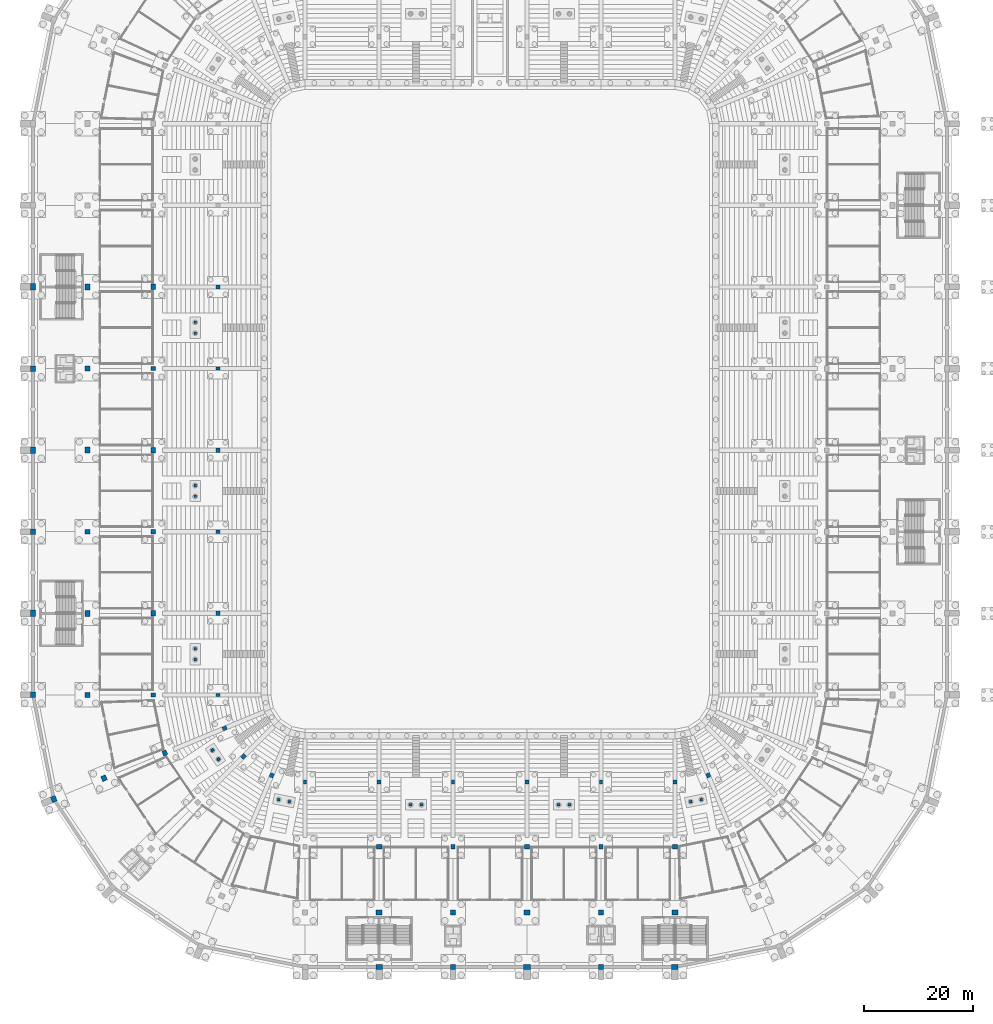
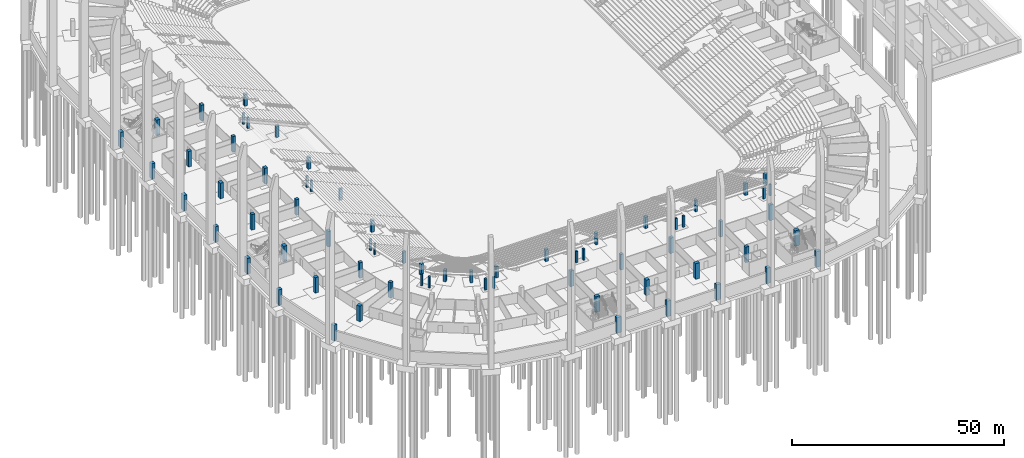
# One storey, part 10 of 115: 68 columns.
"""IFC4 building model written with IfcOpenShell, lengths in metres."""

from ifc_helpers import new_model, si_unit, direction, frame, origin, origin_2d, place, context, subcontext, project, spatial, rectangle, extrude, material, material_profile, profile_set, type_object, element, save


model = new_model("IFC4")

# Units and contexts
model_context = context("Model", 3, precision=1e-05, world=origin(), true_north=direction((0.0, 1.0)))
body_context = subcontext(model_context, "Body", "Model", "MODEL_VIEW")
ifc_project = project(units=[si_unit("LENGTHUNIT", "METRE"), si_unit("AREAUNIT", "SQUARE_METRE"), si_unit("VOLUMEUNIT", "CUBIC_METRE"), si_unit("PLANEANGLEUNIT", "RADIAN"), si_unit("MASSUNIT", "GRAM", prefix="KILO")], contexts=[model_context])

# Site, building, storey
site_placement = place(None, origin())
site = spatial("IfcSite", under=ifc_project, at=site_placement, CompositionType="ELEMENT")
building_placement = place(site_placement, origin())
building = spatial("IfcBuilding", under=site, at=building_placement, Name="Ogive Plaza Stadium", CompositionType="ELEMENT")
storey_placement = place(building_placement, frame((0.0, 0.0, -4.5)))
storey = spatial("IfcBuildingStorey", under=building, at=storey_placement, Name="B1", CompositionType="ELEMENT", Elevation=-4.5)

# Columns
ifc_material_1 = material(Name="Concrete C40/50", Category="concrete")
ifc_material_profile_1 = material_profile(ifc_material_1, rectangle(XDim=0.800048828125, YDim=0.800048828125, at=origin_2d()), Name="RC 800x800")
ifc_profile_set_1 = profile_set([ifc_material_profile_1], Name="Concrete C40/50")
column_type_1 = type_object("IfcColumnType", Name="RC column F1 core 800x800", PredefinedType="COLUMN", material=ifc_profile_set_1)
for number, where, z_axis, x_axis, name in (
    (1, (34.0, -68.5, 0.0), (0.0, 0.0, 1.0), (1.0, 0.0, 0.0), "Column F1 R12 B1"),
    (2, (6.800048828125, -68.5, 0.0), (0.0, 0.0, 1.0), (1.0, 0.0, 0.0), "Column F1 R14 B1"),
    (3, (-20.39990234375, -68.5, 0.0), (0.0, 0.0, 1.0), (1.0, 0.0, 0.0), "Column F1 R16 B1"),
    (4, (-50.0, -37.5, 0.0), (0.0, 0.0, 1.0), (0.0, -1.0, 0.0), "Column F1 R22 B1"),
    (5, (-50.0, -7.5, 0.0), (0.0, 0.0, 1.0), (0.0, -1.0, 0.0), "Column F1 R24 B1"),
    (6, (-50.0, 22.5, 0.0), (0.0, 0.0, 1.0), (0.0, -1.0, 0.0), "Column F1 R26 B1"),
):
    element("IfcColumn", number, at=place(storey_placement, frame(where, z_axis=z_axis, x_axis=x_axis)), inside=storey, type_object=column_type_1, Name=name, PredefinedType="COLUMN", context=body_context, shape_type="SweptSolid", body=[
        extrude(rectangle(XDim=0.800048828125, YDim=0.800048828125, at=origin_2d()), origin(), (0.0, 0.0, 1.0), 3.323486328125),
    ])
ifc_material_2 = material(Name="Concrete C40/50", Category="concrete")
ifc_material_profile_2 = material_profile(ifc_material_2, rectangle(XDim=0.699951171875, YDim=0.800048828125, at=origin_2d()), Name="RC 700x800")
ifc_profile_set_2 = profile_set([ifc_material_profile_2], Name="Concrete C40/50")
column_type_2 = type_object("IfcColumnType", Name="RC column F1 corner 700x800", PredefinedType="COLUMN", material=ifc_profile_set_2)
for number, where, z_axis, x_axis, name in (
    (7, (40.123046875, -67.281982421875, 0.0), (0.0, 0.0, 1.0), (0.923879532511, 0.382683432365, 0.0), "Column F1 R11 B1"),
    (8, (-40.123046875, -67.281982421875, 0.0), (0.0, 0.0, 1.0), (0.923879532511, -0.382683432365, 0.0), "Column F1 R18 B1"),
    (9, (-45.313720703125, -63.813720703125, 0.0), (0.0, 0.0, 1.0), (0.707106781187, -0.707106781187, 0.0), "Column F1 R19 B1"),
    (10, (-48.781982421875, -58.623046875, 0.0), (0.0, 0.0, 1.0), (0.382683432365, -0.923879532511, 0.0), "Column F1 R20 B1"),
):
    element("IfcColumn", number, at=place(storey_placement, frame(where, z_axis=z_axis, x_axis=x_axis)), inside=storey, type_object=column_type_2, Name=name, PredefinedType="COLUMN", context=body_context, shape_type="SweptSolid", body=[
        extrude(rectangle(XDim=0.699951171875, YDim=0.800048828125, at=origin_2d()), origin(), (0.0, 0.0, 1.0), 3.323486328125),
    ])
ifc_material_3 = material(Name="Concrete C40/50", Category="concrete")
ifc_material_profile_3 = material_profile(ifc_material_3, rectangle(XDim=0.60009765625, YDim=0.800048828125, at=origin_2d()), Name="RC 600x800")
ifc_profile_set_3 = profile_set([ifc_material_profile_3], Name="Concrete C40/50")
column_type_3 = type_object("IfcColumnType", Name="RC column F1 typical 600x800", PredefinedType="COLUMN", material=ifc_profile_set_3)
for number, where, z_axis, x_axis, name in (
    (11, (20.39990234375, -68.5, 0.0), (0.0, 0.0, 1.0), (1.0, 0.0, 0.0), "Column F1 R13 B1"),
    (12, (-6.800048828125, -68.5, 0.0), (0.0, 0.0, 1.0), (1.0, 0.0, 0.0), "Column F1 R15 B1"),
    (13, (-34.0, -68.5, 0.0), (0.0, 0.0, 1.0), (1.0, 0.0, 0.0), "Column F1 R17 B1"),
    (14, (-50.0, -52.5, 0.0), (0.0, 0.0, 1.0), (0.0, -1.0, 0.0), "Column F1 R21 B1"),
    (15, (-50.0, -22.5, 0.0), (0.0, 0.0, 1.0), (0.0, -1.0, 0.0), "Column F1 R23 B1"),
    (16, (-50.0, 7.5, 0.0), (0.0, 0.0, 1.0), (0.0, -1.0, 0.0), "Column F1 R25 B1"),
):
    element("IfcColumn", number, at=place(storey_placement, frame(where, z_axis=z_axis, x_axis=x_axis)), inside=storey, type_object=column_type_3, Name=name, PredefinedType="COLUMN", context=body_context, shape_type="SweptSolid", body=[
        extrude(rectangle(XDim=0.60009765625, YDim=0.800048828125, at=origin_2d()), origin(), (0.0, 0.0, 1.0), 3.323486328125),
    ])
ifc_material_4 = material(Name="Concrete C40/50", Category="concrete")
ifc_material_profile_4 = material_profile(ifc_material_4, rectangle(XDim=1.0, YDim=0.800048828125, at=origin_2d()), Name="RC 1000x800")
ifc_profile_set_4 = profile_set([ifc_material_profile_4], Name="Concrete C40/50")
column_type_4 = type_object("IfcColumnType", Name="RC column F3 core 1000x800", PredefinedType="COLUMN", material=ifc_profile_set_4)
for number, where, z_axis, x_axis, name in (
    (17, (34.0, -80.39990234375, 0.0), (0.0, 0.0, 1.0), (1.0, 0.0, 0.0), "Column F3 R12 B1"),
    (18, (6.800048828125, -80.39990234375, 0.0), (0.0, 0.0, 1.0), (1.0, 0.0, 0.0), "Column F3 R14 B1"),
    (19, (-20.39990234375, -80.39990234375, 0.0), (0.0, 0.0, 1.0), (1.0, 0.0, 0.0), "Column F3 R16 B1"),
    (20, (-61.89990234375, -37.5, 0.0), (0.0, 0.0, 1.0), (0.0, -1.0, 0.0), "Column F3 R22 B1"),
    (21, (-61.89990234375, -7.5, 0.0), (0.0, 0.0, 1.0), (0.0, -1.0, 0.0), "Column F3 R24 B1"),
    (22, (-61.89990234375, 22.5, 0.0), (0.0, 0.0, 1.0), (0.0, -1.0, 0.0), "Column F3 R26 B1"),
):
    element("IfcColumn", number, at=place(storey_placement, frame(where, z_axis=z_axis, x_axis=x_axis)), inside=storey, type_object=column_type_4, Name=name, PredefinedType="COLUMN", context=body_context, shape_type="SweptSolid", body=[
        extrude(rectangle(XDim=1.0, YDim=0.800048828125, at=origin_2d()), origin(), (0.0, 0.0, 1.0), 4.5),
    ])
ifc_material_5 = material(Name="Concrete C40/50", Category="concrete")
ifc_material_profile_5 = material_profile(ifc_material_5, rectangle(XDim=0.89990234375, YDim=0.800048828125, at=origin_2d()), Name="RC 900x800")
ifc_profile_set_5 = profile_set([ifc_material_profile_5], Name="Concrete C40/50")
column_type_5 = type_object("IfcColumnType", Name="RC column F3 corner 900x800", PredefinedType="COLUMN", material=ifc_profile_set_5)
column_1_placement = place(storey_placement, frame((-59.776123046875, -63.1767578125, 0.0), z_axis=(0.0, 0.0, 1.0), x_axis=(0.382683432365, -0.923879532511, 0.0)))
element("IfcColumn", 23, at=column_1_placement, inside=storey, type_object=column_type_5, Name="Column F3 R20 B1", PredefinedType="COLUMN", context=body_context, shape_type="SweptSolid", body=[
    extrude(rectangle(XDim=0.89990234375, YDim=0.800048828125, at=origin_2d()), origin(), (0.0, 0.0, 1.0), 4.5),
])
ifc_material_6 = material(Name="Concrete C40/50", Category="concrete")
ifc_material_profile_6 = material_profile(ifc_material_6, rectangle(XDim=0.800048828125, YDim=0.800048828125, at=origin_2d()), Name="RC 800x800")
ifc_profile_set_6 = profile_set([ifc_material_profile_6], Name="Concrete C40/50")
column_type_6 = type_object("IfcColumnType", Name="RC column F3 typical 800x800", PredefinedType="COLUMN", material=ifc_profile_set_6)
for number, where, z_axis, x_axis, name in (
    (24, (20.39990234375, -80.39990234375, 0.0), (0.0, 0.0, 1.0), (1.0, 0.0, 0.0), "Column F3 R13 B1"),
    (25, (-6.800048828125, -80.39990234375, 0.0), (0.0, 0.0, 1.0), (1.0, 0.0, 0.0), "Column F3 R15 B1"),
    (26, (-61.89990234375, -52.5, 0.0), (0.0, 0.0, 1.0), (0.0, -1.0, 0.0), "Column F3 R21 B1"),
    (27, (-61.89990234375, -22.5, 0.0), (0.0, 0.0, 1.0), (0.0, -1.0, 0.0), "Column F3 R23 B1"),
    (28, (-61.89990234375, 7.5, 0.0), (0.0, 0.0, 1.0), (0.0, -1.0, 0.0), "Column F3 R25 B1"),
):
    element("IfcColumn", number, at=place(storey_placement, frame(where, z_axis=z_axis, x_axis=x_axis)), inside=storey, type_object=column_type_6, Name=name, PredefinedType="COLUMN", context=body_context, shape_type="SweptSolid", body=[
        extrude(rectangle(XDim=0.800048828125, YDim=0.800048828125, at=origin_2d()), origin(), (0.0, 0.0, 1.0), 4.5),
    ])
ifc_material_7 = material(Name="Concrete C40/50", Category="concrete")
ifc_material_profile_7 = material_profile(ifc_material_7, rectangle(XDim=1.10009765625, YDim=0.89990234375, at=origin_2d()), Name="RC 1100x900")
ifc_profile_set_7 = profile_set([ifc_material_profile_7], Name="Concrete C40/50")
column_type_7 = type_object("IfcColumnType", Name="RC column F4 core 1100x900", PredefinedType="COLUMN", material=ifc_profile_set_7)
for number, where, z_axis, x_axis, name in (
    (29, (34.0, -92.5, 0.0), (0.0, 0.0, 1.0), (1.0, 0.0, 0.0), "Column F4 R12 B1"),
    (30, (6.800048828125, -92.5, 0.0), (0.0, 0.0, 1.0), (1.0, 0.0, 0.0), "Column F4 R14 B1"),
    (31, (-20.39990234375, -92.5, 0.0), (0.0, 0.0, 1.0), (1.0, 0.0, 0.0), "Column F4 R16 B1"),
    (32, (-74.0, -37.5, 0.0), (0.0, 0.0, 1.0), (0.0, -1.0, 0.0), "Column F4 R22 B1"),
    (33, (-74.0, -7.5, 0.0), (0.0, 0.0, 1.0), (0.0, -1.0, 0.0), "Column F4 R24 B1"),
    (34, (-74.0, 22.5, 0.0), (0.0, 0.0, 1.0), (0.0, -1.0, 0.0), "Column F4 R26 B1"),
):
    element("IfcColumn", number, at=place(storey_placement, frame(where, z_axis=z_axis, x_axis=x_axis)), inside=storey, type_object=column_type_7, Name=name, PredefinedType="COLUMN", context=body_context, shape_type="SweptSolid", body=[
        extrude(rectangle(XDim=1.10009765625, YDim=0.89990234375, at=origin_2d()), origin(), (0.0, 0.0, 1.0), 4.5),
    ])
ifc_material_8 = material(Name="Concrete C40/50", Category="concrete")
ifc_material_profile_8 = material_profile(ifc_material_8, rectangle(XDim=1.0, YDim=0.89990234375, at=origin_2d()), Name="RC 1000x900")
ifc_profile_set_8 = profile_set([ifc_material_profile_8], Name="Concrete C40/50")
column_type_8 = type_object("IfcColumnType", Name="RC column F4 corner 1000x900", PredefinedType="COLUMN", material=ifc_profile_set_8)
column_2_placement = place(storey_placement, frame((-70.955078125, -67.807373046875, 0.0), z_axis=(0.0, 0.0, 1.0), x_axis=(0.382683432365, -0.923879532511, 0.0)))
element("IfcColumn", 35, at=column_2_placement, inside=storey, type_object=column_type_8, Name="Column F4 R20 B1", PredefinedType="COLUMN", context=body_context, shape_type="SweptSolid", body=[
    extrude(rectangle(XDim=1.0, YDim=0.89990234375, at=origin_2d()), origin(), (0.0, 0.0, 1.0), 4.5),
])
ifc_material_9 = material(Name="Concrete C40/50", Category="concrete")
ifc_material_profile_9 = material_profile(ifc_material_9, rectangle(XDim=0.89990234375, YDim=0.89990234375, at=origin_2d()), Name="RC 900x900")
ifc_profile_set_9 = profile_set([ifc_material_profile_9], Name="Concrete C40/50")
column_type_9 = type_object("IfcColumnType", Name="RC column F4 typical 900x900", PredefinedType="COLUMN", material=ifc_profile_set_9)
for number, where, z_axis, x_axis, name in (
    (36, (20.39990234375, -92.5, 0.0), (0.0, 0.0, 1.0), (1.0, 0.0, 0.0), "Column F4 R13 B1"),
    (37, (-6.800048828125, -92.5, 0.0), (0.0, 0.0, 1.0), (1.0, 0.0, 0.0), "Column F4 R15 B1"),
    (38, (-74.0, -52.5, 0.0), (0.0, 0.0, 1.0), (0.0, -1.0, 0.0), "Column F4 R21 B1"),
    (39, (-74.0, -22.5, 0.0), (0.0, 0.0, 1.0), (0.0, -1.0, 0.0), "Column F4 R23 B1"),
    (40, (-74.0, 7.5, 0.0), (0.0, 0.0, 1.0), (0.0, -1.0, 0.0), "Column F4 R25 B1"),
):
    element("IfcColumn", number, at=place(storey_placement, frame(where, z_axis=z_axis, x_axis=x_axis)), inside=storey, type_object=column_type_9, Name=name, PredefinedType="COLUMN", context=body_context, shape_type="SweptSolid", body=[
        extrude(rectangle(XDim=0.89990234375, YDim=0.89990234375, at=origin_2d()), origin(), (0.0, 0.0, 1.0), 4.5),
    ])
ifc_material_10 = material(Name="Concrete C40/50", Category="concrete")
ifc_material_profile_10 = material_profile(ifc_material_10, rectangle(XDim=1.199951171875, YDim=0.89990234375, at=origin_2d()), Name="RC 1200x900")
ifc_profile_set_10 = profile_set([ifc_material_profile_10], Name="Concrete C40/50")
column_type_10 = type_object("IfcColumnType", Name="RC column F5 core 1200x900", PredefinedType="COLUMN", material=ifc_profile_set_10)
for number, where, z_axis, x_axis, name in (
    (41, (34.0, -102.5, 0.0), (0.0, 0.0, 1.0), (1.0, 0.0, 0.0), "Column F5 R12 B1"),
    (42, (6.800048828125, -102.5, 0.0), (0.0, 0.0, 1.0), (1.0, 0.0, 0.0), "Column F5 R14 B1"),
    (43, (-20.39990234375, -102.5, 0.0), (0.0, 0.0, 1.0), (1.0, 0.0, 0.0), "Column F5 R16 B1"),
    (44, (-84.0, -37.5, 0.0), (0.0, 0.0, 1.0), (0.0, -1.0, 0.0), "Column F5 R22 B1"),
    (45, (-84.0, -7.5, 0.0), (0.0, 0.0, 1.0), (0.0, -1.0, 0.0), "Column F5 R24 B1"),
    (46, (-84.0, 22.5, 0.0), (0.0, 0.0, 1.0), (0.0, -1.0, 0.0), "Column F5 R26 B1"),
):
    element("IfcColumn", number, at=place(storey_placement, frame(where, z_axis=z_axis, x_axis=x_axis)), inside=storey, type_object=column_type_10, Name=name, PredefinedType="COLUMN", context=body_context, shape_type="SweptSolid", body=[
        extrude(rectangle(XDim=1.199951171875, YDim=0.89990234375, at=origin_2d()), origin(), (0.0, 0.0, 1.0), 4.5),
    ])
ifc_material_11 = material(Name="Concrete C40/50", Category="concrete")
ifc_material_profile_11 = material_profile(ifc_material_11, rectangle(XDim=1.10009765625, YDim=0.89990234375, at=origin_2d()), Name="RC 1100x900")
ifc_profile_set_11 = profile_set([ifc_material_profile_11], Name="Concrete C40/50")
column_type_11 = type_object("IfcColumnType", Name="RC column F5 corner 1100x900", PredefinedType="COLUMN", material=ifc_profile_set_11)
column_3_placement = place(storey_placement, frame((-80.194091796875, -71.63427734375, 0.0), z_axis=(0.0, 0.0, 1.0), x_axis=(0.382683432365, -0.923879532511, 0.0)))
element("IfcColumn", 47, at=column_3_placement, inside=storey, type_object=column_type_11, Name="Column F5 R20 B1", PredefinedType="COLUMN", context=body_context, shape_type="SweptSolid", body=[
    extrude(rectangle(XDim=1.10009765625, YDim=0.89990234375, at=origin_2d()), origin(), (0.0, 0.0, 1.0), 4.5),
])
ifc_material_12 = material(Name="Concrete C40/50", Category="concrete")
ifc_material_profile_12 = material_profile(ifc_material_12, rectangle(XDim=1.0, YDim=0.89990234375, at=origin_2d()), Name="RC 1000x900")
ifc_profile_set_12 = profile_set([ifc_material_profile_12], Name="Concrete C40/50")
column_type_12 = type_object("IfcColumnType", Name="RC column F5 typical 1000x900", PredefinedType="COLUMN", material=ifc_profile_set_12)
for number, where, z_axis, x_axis, name in (
    (48, (20.39990234375, -102.5, 0.0), (0.0, 0.0, 1.0), (1.0, 0.0, 0.0), "Column F5 R13 B1"),
    (49, (-6.800048828125, -102.5, 0.0), (0.0, 0.0, 1.0), (1.0, 0.0, 0.0), "Column F5 R15 B1"),
    (50, (-84.0, -52.5, 0.0), (0.0, 0.0, 1.0), (0.0, -1.0, 0.0), "Column F5 R21 B1"),
    (51, (-84.0, -22.5, 0.0), (0.0, 0.0, 1.0), (0.0, -1.0, 0.0), "Column F5 R23 B1"),
    (52, (-84.0, 7.5, 0.0), (0.0, 0.0, 1.0), (0.0, -1.0, 0.0), "Column F5 R25 B1"),
):
    element("IfcColumn", number, at=place(storey_placement, frame(where, z_axis=z_axis, x_axis=x_axis)), inside=storey, type_object=column_type_12, Name=name, PredefinedType="COLUMN", context=body_context, shape_type="SweptSolid", body=[
        extrude(rectangle(XDim=1.0, YDim=0.89990234375, at=origin_2d()), origin(), (0.0, 0.0, 1.0), 4.5),
    ])
ifc_material_13 = material(Name="Concrete C40/50", Category="concrete")
ifc_material_profile_13 = material_profile(ifc_material_13, rectangle(XDim=0.5, YDim=0.5, at=origin_2d()), Name="RC 500x500")
ifc_profile_set_13 = profile_set([ifc_material_profile_13], Name="Concrete C40/50")
column_type_13 = type_object("IfcColumnType", Name="RC column vomitory 500x500", PredefinedType="COLUMN", material=ifc_profile_set_13)
for number, where, z_axis, x_axis, name in (
    (53, (36.88427734375, -72.126220703125, 0.0), (0.0, 0.0, 1.0), (0.980785280403, 0.195090322016, 0.0), "Column F1V B11 1"),
    (54, (38.845947265625, -71.736083984375, 0.0), (0.0, 0.0, 1.0), (0.980785280403, 0.195090322016, 0.0), "Column F1V B11 2"),
    (55, (12.60009765625, -72.699951171875, 0.0), (0.0, 0.0, 1.0), (1.0, 0.0, 0.0), "Column F1V B13 1"),
    (56, (14.60009765625, -72.699951171875, 0.0), (0.0, 0.0, 1.0), (1.0, 0.0, 0.0), "Column F1V B13 2"),
    (57, (-14.60009765625, -72.699951171875, 0.0), (0.0, 0.0, 1.0), (1.0, 0.0, 0.0), "Column F1V B15 1"),
    (58, (-12.60009765625, -72.699951171875, 0.0), (0.0, 0.0, 1.0), (1.0, 0.0, 0.0), "Column F1V B15 2"),
    (59, (-38.845947265625, -71.736083984375, 0.0), (0.0, 0.0, 1.0), (0.980785280403, -0.195090322016, 0.0), "Column F1V B17 1"),
    (60, (-36.88427734375, -72.126220703125, 0.0), (0.0, 0.0, 1.0), (0.980785280403, -0.195090322016, 0.0), "Column F1V B17 2"),
    (61, (-51.028564453125, -62.67529296875, 0.0), (0.0, 0.0, 1.0), (0.55557023302, -0.831469612303, 0.0), "Column F1V B19 1"),
    (62, (-49.91748046875, -64.33837890625, 0.0), (0.0, 0.0, 1.0), (0.55557023302, -0.831469612303, 0.0), "Column F1V B19 2"),
    (63, (-54.199951171875, -44.0, 0.0), (0.0, 0.0, 1.0), (0.0, -1.0, 0.0), "Column F1V B21 1"),
    (64, (-54.199951171875, -46.0, 0.0), (0.0, 0.0, 1.0), (0.0, -1.0, 0.0), "Column F1V B21 2"),
    (65, (-54.199951171875, -14.0, 0.0), (0.0, 0.0, 1.0), (0.0, -1.0, 0.0), "Column F1V B23 1"),
    (66, (-54.199951171875, -16.0, 0.0), (0.0, 0.0, 1.0), (0.0, -1.0, 0.0), "Column F1V B23 2"),
    (67, (-54.199951171875, 16.0, 0.0), (0.0, 0.0, 1.0), (0.0, -1.0, 0.0), "Column F1V B25 1"),
    (68, (-54.199951171875, 14.0, 0.0), (0.0, 0.0, 1.0), (0.0, -1.0, 0.0), "Column F1V B25 2"),
):
    element("IfcColumn", number, at=place(storey_placement, frame(where, z_axis=z_axis, x_axis=x_axis)), inside=storey, type_object=column_type_13, Name=name, PredefinedType="COLUMN", context=body_context, shape_type="SweptSolid", body=[
        extrude(rectangle(XDim=0.5, YDim=0.5, at=origin_2d()), origin(), (0.0, 0.0, 1.0), 3.2900390625),
    ])

save(model, "model.ifc")
